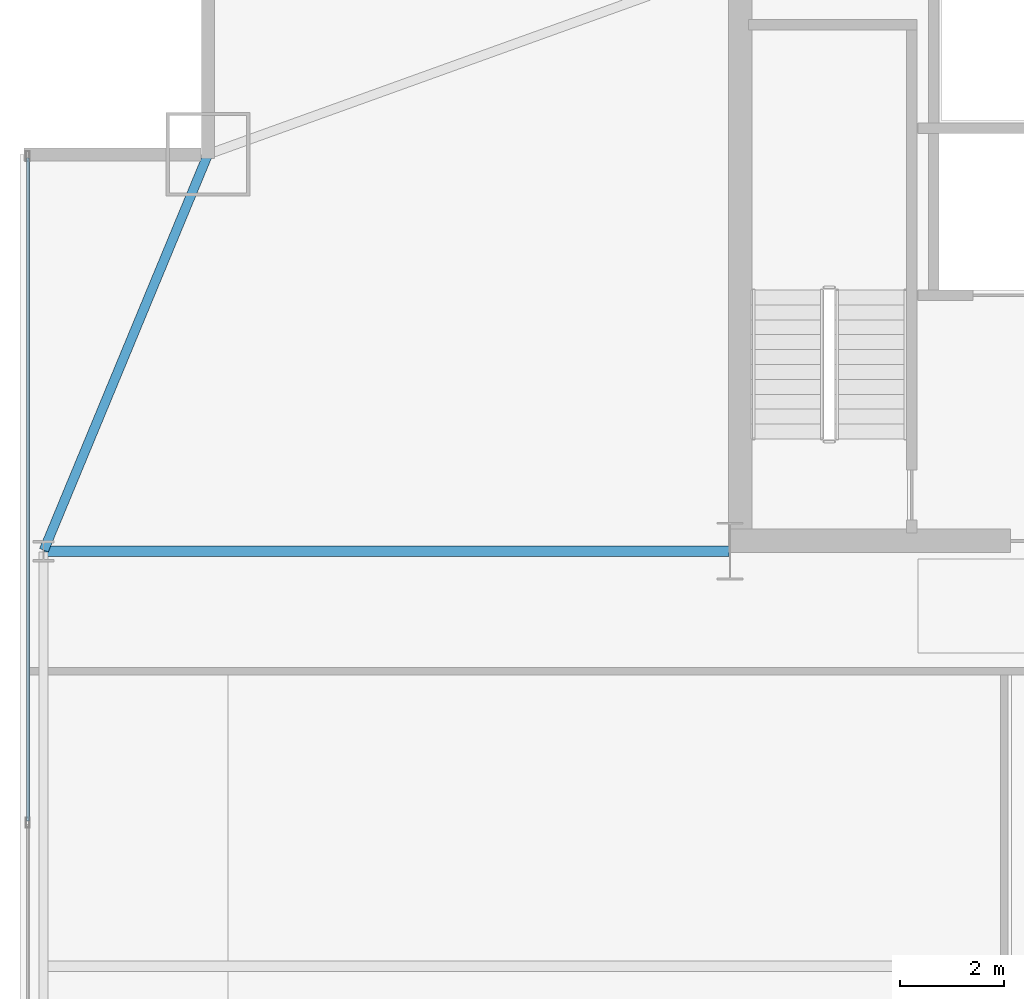
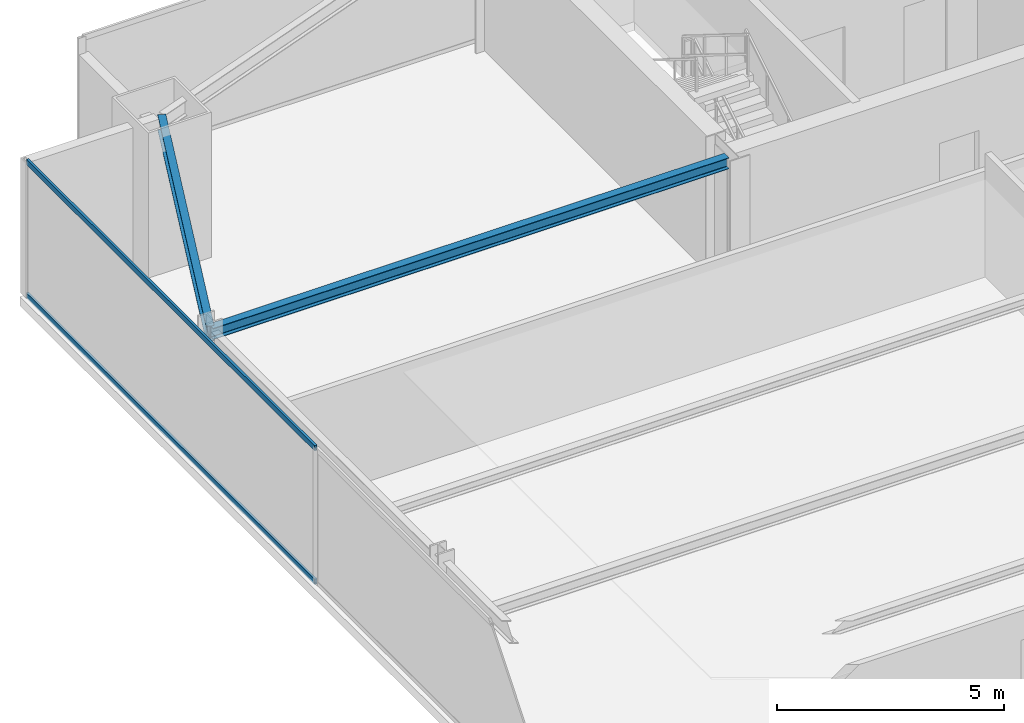
# One storey, part 19 of 29: 2 beams, 2 members, 1 element without a shape of its own.
"""IFC4 building model written with IfcOpenShell, lengths in metres."""

import ifcopenshell
import ifcopenshell.guid

model = None  # the IFC model being written
_history = None  # IfcOwnerHistory: only IFC2X3 demands one
_inside = {}  # id of a spatial element -> (the spatial element, [elements in it])
_under = {}  # id of a project, library or spatial element -> (it, [spatial elements below it])
_declared = {}  # id of a project -> (the project, [libraries it declares])
_typed = {}  # id of a type object -> (the type object, [elements of that type])
_made_of = {}  # id of a material, layer set ... -> (it, [elements and type objects made of it])


def new_model(schema):
    """Start an empty IFC model of exactly this schema.

    Asked for "IFC4X3", IfcOpenShell would pick the latest addendum, in which some entities
    have other attributes; the version numbers below select the first issue.
    IFC2X3 requires an IfcOwnerHistory on every rooted entity: one is made here for all.
    """
    global model, _history
    if schema == "IFC4X3":
        model = ifcopenshell.file(schema_version=(4, 3, 0, 0))
    else:
        model = ifcopenshell.file(schema=schema)
    _inside.clear()
    _under.clear()
    _declared.clear()
    _typed.clear()
    _made_of.clear()
    _history = None
    if model.schema == "IFC2X3":
        org = make("IfcOrganization", Name="unknown")
        user = make(
            "IfcPersonAndOrganization",
            ThePerson=make("IfcPerson", FamilyName="unknown"),
            TheOrganization=org,
        )
        app = make(
            "IfcApplication",
            ApplicationDeveloper=org,
            Version="unknown",
            ApplicationFullName="unknown",
            ApplicationIdentifier="unknown",
        )
        _history = make(
            "IfcOwnerHistory",
            OwningUser=user,
            OwningApplication=app,
            ChangeAction="ADDED",
            CreationDate=0,
        )
    return model


def make(cls, **values):
    """One entity of the class cls with the attributes given. An attribute that is None is left unset."""
    return model.create_entity(
        cls, **{name: value for name, value in values.items() if value is not None}
    )


def rooted(cls, **values):
    """An entity with a GlobalId (a new one), such as an element, a storey or a relation."""
    return make(cls, GlobalId=ifcopenshell.guid.new(), OwnerHistory=_history, **values)


def si_unit(unit_type, name, prefix=None):
    """IfcSIUnit, for example si_unit("LENGTHUNIT", "METRE", prefix="MILLI")."""
    return make("IfcSIUnit", UnitType=unit_type, Prefix=prefix, Name=name)


def assignment(units):
    """IfcUnitAssignment: the units of a project."""
    return None if units is None else make("IfcUnitAssignment", Units=units)


def point(xyz):
    """IfcCartesianPoint."""
    return None if xyz is None else make("IfcCartesianPoint", Coordinates=xyz)


def direction(xyz):
    """IfcDirection."""
    return None if xyz is None else make("IfcDirection", DirectionRatios=xyz)


def frame(location, z_axis=None, x_axis=None):
    """IfcAxis2Placement3D, a coordinate frame: its origin and axes. An axis left out is left unset."""
    return make(
        "IfcAxis2Placement3D",
        Location=point(location),
        Axis=direction(z_axis),
        RefDirection=direction(x_axis),
    )


def frame_2d(location, x_axis=None):
    """IfcAxis2Placement2D, a coordinate frame in the plane: its origin and x axis."""
    return make(
        "IfcAxis2Placement2D", Location=point(location), RefDirection=direction(x_axis)
    )


def origin():
    """The frame at (0, 0, 0) with its axes left unset."""
    return frame((0.0, 0.0, 0.0))


def origin_2d():
    """The frame at (0, 0) in the plane with its x axis left unset."""
    return frame_2d((0.0, 0.0))


def place(relative_to, where):
    """IfcLocalPlacement: puts the frame where relative to a parent placement (None: the world)."""
    return make(
        "IfcLocalPlacement", PlacementRelTo=relative_to, RelativePlacement=where
    )


def context(
    kind, dimensions, precision=None, world=None, true_north=None, identifier=None
):
    """IfcGeometricRepresentationContext, for example the 3D "Model" context."""
    return make(
        "IfcGeometricRepresentationContext",
        ContextIdentifier=identifier,
        ContextType=kind,
        CoordinateSpaceDimension=dimensions,
        Precision=precision,
        WorldCoordinateSystem=world,
        TrueNorth=true_north,
    )


def subcontext(parent, identifier, kind, view, scale=None):
    """IfcGeometricRepresentationSubContext, for example "Body" below "Model"."""
    return make(
        "IfcGeometricRepresentationSubContext",
        ContextIdentifier=identifier,
        ContextType=kind,
        ParentContext=parent,
        TargetScale=scale,
        TargetView=view,
    )


def project(units=None, contexts=None):
    """IfcProject with its units and contexts."""
    return rooted(
        "IfcProject",
        Name="project",
        RepresentationContexts=contexts,
        UnitsInContext=assignment(units),
    )


def spatial(cls, under=None, at=None, **own):
    """A site, building, storey or space (cls), placed at a placement, below another one or the project."""
    s = rooted(cls, ObjectPlacement=at, **own)
    if under is not None:
        _under.setdefault(under.id(), (under, []))[1].append(s)
    return s


def profile(cls, at=None, kind="AREA", **sizes):
    """A parametric profile (cls). Its sizes go by their IFC names, for example OverallWidth=200.0."""
    return make(cls, ProfileType=kind, Position=at, **sizes)


def hollow_rectangle(**sizes):
    """IfcRectangleHollowProfileDef."""
    return profile("IfcRectangleHollowProfileDef", **sizes)


def i_section(**sizes):
    """IfcIShapeProfileDef."""
    return profile("IfcIShapeProfileDef", **sizes)


def extrude(swept, where, along, depth):
    """IfcExtrudedAreaSolid: the profile swept, set in the frame where, extruded along a direction by depth."""
    return make(
        "IfcExtrudedAreaSolid",
        SweptArea=swept,
        Position=where,
        ExtrudedDirection=direction(along),
        Depth=depth,
    )


def shape(context_of_items, identifier, shape_type, items):
    """IfcShapeRepresentation: the items that make up one representation, for example the "Body"."""
    return make(
        "IfcShapeRepresentation",
        ContextOfItems=context_of_items,
        RepresentationIdentifier=identifier,
        RepresentationType=shape_type,
        Items=items,
    )


def source(mapping_origin, context_of_items, identifier, shape_type, items):
    """IfcRepresentationMap: a shape defined once, which mapped items show again and again."""
    return make(
        "IfcRepresentationMap",
        MappingOrigin=mapping_origin,
        MappedRepresentation=shape(context_of_items, identifier, shape_type, items),
    )


def transform(
    local_origin,
    x_axis=None,
    y_axis=None,
    z_axis=None,
    scale=None,
    scale2=None,
    scale3=None,
    uniform=True,
):
    """IfcCartesianTransformationOperator3D, or its non-uniform kind. x_axis, y_axis, z_axis: its Axis1, 2, 3."""
    if uniform:
        return make(
            "IfcCartesianTransformationOperator3D",
            Axis1=direction(x_axis),
            Axis2=direction(y_axis),
            LocalOrigin=point(local_origin),
            Scale=scale,
            Axis3=direction(z_axis),
        )
    return make(
        "IfcCartesianTransformationOperator3DnonUniform",
        Axis1=direction(x_axis),
        Axis2=direction(y_axis),
        LocalOrigin=point(local_origin),
        Scale=scale,
        Axis3=direction(z_axis),
        Scale2=scale2,
        Scale3=scale3,
    )


def mapped(mapping_source, mapping_target):
    """IfcMappedItem: shows the shape of a source again, moved by a transform."""
    return make(
        "IfcMappedItem", MappingSource=mapping_source, MappingTarget=mapping_target
    )


def material(Name=None, Category=None):
    """IfcMaterial."""
    return make("IfcMaterial", Name=Name, Category=Category)


def layer(
    of_material, thickness, ventilated=None, Name=None, Category=None, Priority=None
):
    """IfcMaterialLayer: one layer of a wall or slab, of a material (None: an air gap)."""
    return make(
        "IfcMaterialLayer",
        Material=of_material,
        LayerThickness=thickness,
        IsVentilated=ventilated,
        Name=Name,
        Category=Category,
        Priority=Priority,
    )


def layer_set(layers, Name=None):
    """IfcMaterialLayerSet."""
    return make("IfcMaterialLayerSet", MaterialLayers=layers, LayerSetName=Name)


def material_profile(
    of_material, cross_section, Name=None, Category=None, Priority=None
):
    """IfcMaterialProfile: a cross section and its material."""
    return make(
        "IfcMaterialProfile",
        Name=Name,
        Material=of_material,
        Profile=cross_section,
        Priority=Priority,
        Category=Category,
    )


def profile_set(profiles, Name=None, composite=None):
    """IfcMaterialProfileSet."""
    return make(
        "IfcMaterialProfileSet",
        Name=Name,
        MaterialProfiles=profiles,
        CompositeProfile=composite,
    )


def made_of(thing, what):
    """Note that an element or type object is made of a material, layer set ...; save() writes the relation."""
    if what is not None:
        _made_of.setdefault(what.id(), (what, []))[1].append(thing)
    return thing


def type_object(cls, material=None, **own):
    """A type object (cls), such as IfcWallType, which elements share."""
    return made_of(rooted(cls, **own), material)


def type_shapes(of_type, sources):
    """Give a type object the sources (RepresentationMaps) that its elements show as mapped items."""
    of_type.RepresentationMaps = sources


def element(
    cls,
    number,
    at=None,
    inside=None,
    cuts=None,
    type_object=None,
    material=None,
    context=None,
    identifier="Body",
    shape_type=None,
    held_by="IfcProductDefinitionShape",
    body=None,
    shapes=None,
    **own,
):
    """One element of the class cls, such as IfcWall. Its Tag is "e" and its number.

    at: its placement. inside: the storey or other place that contains it. cuts: it is an
    opening in that element (IfcRelVoidsElement). A single representation is given by context,
    identifier, shape_type and body (its items); several are given by shapes. held_by: the class
    of the entity that holds the representations. save() writes the other relations.
    """
    e = rooted(cls, Tag="e%d" % number, ObjectPlacement=at, **own)
    if body is not None:
        shapes = [shape(context, identifier, shape_type, body)]
    if shapes is not None:
        e.Representation = make(held_by, Representations=shapes)
    if inside is not None:
        _inside.setdefault(inside.id(), (inside, []))[1].append(e)
    if cuts is not None:
        rooted(
            "IfcRelVoidsElement", RelatingBuildingElement=cuts, RelatedOpeningElement=e
        )
    if type_object is not None:
        _typed.setdefault(type_object.id(), (type_object, []))[1].append(e)
    return made_of(e, material)


def aggregate(whole, parts):
    """IfcRelAggregates: a whole, such as a stair, and the parts it consists of."""
    return rooted("IfcRelAggregates", RelatingObject=whole, RelatedObjects=parts)


def save(model, path):
    """Write the relations noted so far, then the file.

    IfcRelAggregates (storeys below a building ...), IfcRelContainedInSpatialStructure (elements
    in a storey), IfcRelDefinesByType, IfcRelAssociatesMaterial and IfcRelDeclares: one each for
    every whole, place, type object, material and project.
    """
    for whole, parts in _under.values():
        aggregate(whole, parts)
    for where, things in _inside.values():
        rooted(
            "IfcRelContainedInSpatialStructure",
            RelatedElements=things,
            RelatingStructure=where,
        )
    for kind, things in _typed.values():
        rooted("IfcRelDefinesByType", RelatedObjects=things, RelatingType=kind)
    for what, things in _made_of.values():
        rooted("IfcRelAssociatesMaterial", RelatedObjects=things, RelatingMaterial=what)
    for by, libraries in _declared.values():
        rooted("IfcRelDeclares", RelatingContext=by, RelatedDefinitions=libraries)
    model.write(path)


model = new_model("IFC4")

# Units and contexts
model_context = context("Model", 3, precision=1e-05, world=origin(), true_north=direction((0.0, 1.0)))
body_context = subcontext(model_context, "Body", "Model", "MODEL_VIEW")
ifc_project = project(units=[si_unit("LENGTHUNIT", "METRE"), si_unit("AREAUNIT", "SQUARE_METRE"), si_unit("VOLUMEUNIT", "CUBIC_METRE"), si_unit("PLANEANGLEUNIT", "RADIAN"), si_unit("MASSUNIT", "GRAM", prefix="KILO")], contexts=[model_context])

# Site, building, storey
site_placement = place(None, origin())
site = spatial("IfcSite", under=ifc_project, at=site_placement, CompositionType="ELEMENT")
building_placement = place(site_placement, origin())
building = spatial("IfcBuilding", under=site, at=building_placement, Name="Varnel Quay Broadcast Tower", CompositionType="ELEMENT")
storey_placement = place(building_placement, frame((0.0, 0.0, 74.39990234375)))
storey = spatial("IfcBuildingStorey", under=building, at=storey_placement, Name="L17", CompositionType="ELEMENT", Elevation=74.39990234375)

# Beams
ifc_material_1 = material(Name="Structural Steel CSA G40.21 350W", Category="steel")
ifc_material_profile_1 = material_profile(ifc_material_1, i_section(OverallWidth=0.180908203125, OverallDepth=0.4169921875, WebThickness=0.010986328125, FlangeThickness=0.018310546875, FilletRadius=0.011962890625, at=origin_2d()), Name="W410X85")
ifc_profile_set_1 = profile_set([ifc_material_profile_1], Name="Structural Steel CSA G40.21 350W")
beam_type_1 = type_object("IfcBeamType", Name="Beam_W410X85", PredefinedType="SPANDREL", material=ifc_profile_set_1)
shared_shape_1 = source(origin(), body_context, "Body", "SweptSolid", [
    extrude(i_section(OverallWidth=0.180908203125, OverallDepth=0.4169921875, WebThickness=0.010986328125, FlangeThickness=0.018310546875, FilletRadius=0.011962890625, at=origin_2d()), origin(), (0.0, 0.0, 1.0), 8.186767578125),
])
type_shapes(beam_type_1, [shared_shape_1])
beam_1_placement = place(storey_placement, frame((2.457763671875, 35.618408203125, 3.441650390625), z_axis=(0.382874132092, 0.923800519038, 0.0), x_axis=(-0.923800519038, 0.382874132092, 0.0)))
element("IfcBeam", 1, at=beam_1_placement, inside=storey, type_object=beam_type_1, Name="L17 West Spandrel TC-W3-MC-NW", PredefinedType="SPANDREL", context=body_context, shape_type="MappedRepresentation", body=[
    mapped(shared_shape_1, transform((0.0, 0.0, 0.0), x_axis=(1.0, 0.0, 0.0), y_axis=(0.0, 1.0, 0.0), z_axis=(0.0, 0.0, 1.0), scale=1.0)),
])
ifc_material_profile_2 = material_profile(ifc_material_1, i_section(OverallWidth=0.202880859375, OverallDepth=0.302978515625, WebThickness=0.007568359375, FlangeThickness=0.01318359375, FilletRadius=0.011962890625, at=origin_2d()), Name="W310X60")
ifc_profile_set_2 = profile_set([ifc_material_profile_2], Name="Structural Steel CSA G40.21 350W")
beam_type_2 = type_object("IfcBeamType", Name="Beam_W310X60", PredefinedType="JOIST", material=ifc_profile_set_2)
shared_shape_2 = source(origin(), body_context, "Body", "SweptSolid", [
    extrude(i_section(OverallWidth=0.202880859375, OverallDepth=0.302978515625, WebThickness=0.007568359375, FlangeThickness=0.01318359375, FilletRadius=0.011962890625, at=origin_2d()), origin(), (0.0, 0.0, 1.0), 13.110107421875),
])
type_shapes(beam_type_2, [shared_shape_2])
beam_2_placement = place(storey_placement, frame((2.469970703125, 35.60009765625, 3.49853515625), z_axis=(1.0, 0.0, 0.0), x_axis=(0.0, 1.0, 0.0)))
element("IfcBeam", 2, at=beam_2_placement, inside=storey, type_object=beam_type_2, Name="L17 West Core Tie Joist", PredefinedType="JOIST", context=body_context, shape_type="MappedRepresentation", body=[
    mapped(shared_shape_2, transform((0.0, 0.0, 0.0), x_axis=(1.0, 0.0, 0.0), y_axis=(0.0, 1.0, 0.0), z_axis=(0.0, 0.0, 1.0), scale=1.0)),
])

# Curtain wall, members
ifc_material_2 = material(Name="Anodised Bronze Aluminium 6063-T6", Category="aluminium")
ifc_layer = layer(ifc_material_2, 0.18994140625, Name="Anodised Bronze Aluminium 6063-T6")
ifc_layer_set = layer_set([ifc_layer], Name="Anodised Bronze Aluminium 6063-T6")
curtain_wall_type = type_object("IfcCurtainWallType", Name="CW_LowerTower", PredefinedType="NOTDEFINED", material=ifc_layer_set)
curtain_wall_placement = place(storey_placement, origin())
curtain_wall = element("IfcCurtainWall", 3, at=curtain_wall_placement, inside=storey, type_object=curtain_wall_type, Name="L17 West Unitised Curtain Wall", PredefinedType="NOTDEFINED")
ifc_material_profile_3 = material_profile(ifc_material_2, hollow_rectangle(XDim=0.06005859375, YDim=0.14501953125, WallThickness=0.00341796875, at=origin_2d()), Name="ALU60X145X3.5")
ifc_profile_set_3 = profile_set([ifc_material_profile_3], Name="Anodised Bronze Aluminium 6063-T6")
member_type = type_object("IfcMemberType", Name="Tran_CWS-02", PredefinedType="USERDEFINED", material=ifc_profile_set_3)
shared_shape_3 = source(origin(), body_context, "Body", "SweptSolid", [
    extrude(hollow_rectangle(XDim=0.06005859375, YDim=0.14501953125, WallThickness=0.00341796875, at=origin_2d()), origin(), (0.0, 0.0, 1.0), 12.69482421875),
])
type_shapes(member_type, [shared_shape_3])
member_1_placement = place(storey_placement, frame((2.14990234375, 30.43505859375, 0.030029296875), z_axis=(0.0, 1.0, 0.0), x_axis=(-1.0, 0.0, 0.0)))
member_1 = element("IfcMember", 4, at=member_1_placement, type_object=member_type, Name="CWS-02 transom 3.1", ObjectType="TRANSOM", PredefinedType="USERDEFINED", context=body_context, shape_type="MappedRepresentation", body=[
    mapped(shared_shape_3, transform((0.0, 0.0, 0.0), x_axis=(1.0, 0.0, 0.0), y_axis=(0.0, 1.0, 0.0), z_axis=(0.0, 0.0, 1.0), scale=1.0)),
])
member_2_placement = place(storey_placement, frame((2.14990234375, 30.43505859375, 3.6201171875), z_axis=(0.0, 1.0, 0.0), x_axis=(-1.0, 0.0, 0.0)))
member_2 = element("IfcMember", 5, at=member_2_placement, type_object=member_type, Name="CWS-02 transom 3.2", ObjectType="TRANSOM", PredefinedType="USERDEFINED", context=body_context, shape_type="MappedRepresentation", body=[
    mapped(shared_shape_3, transform((0.0, 0.0, 0.0), x_axis=(1.0, 0.0, 0.0), y_axis=(0.0, 1.0, 0.0), z_axis=(0.0, 0.0, 1.0), scale=1.0)),
])
aggregate(curtain_wall, [member_1, member_2])

save(model, "model.ifc")
